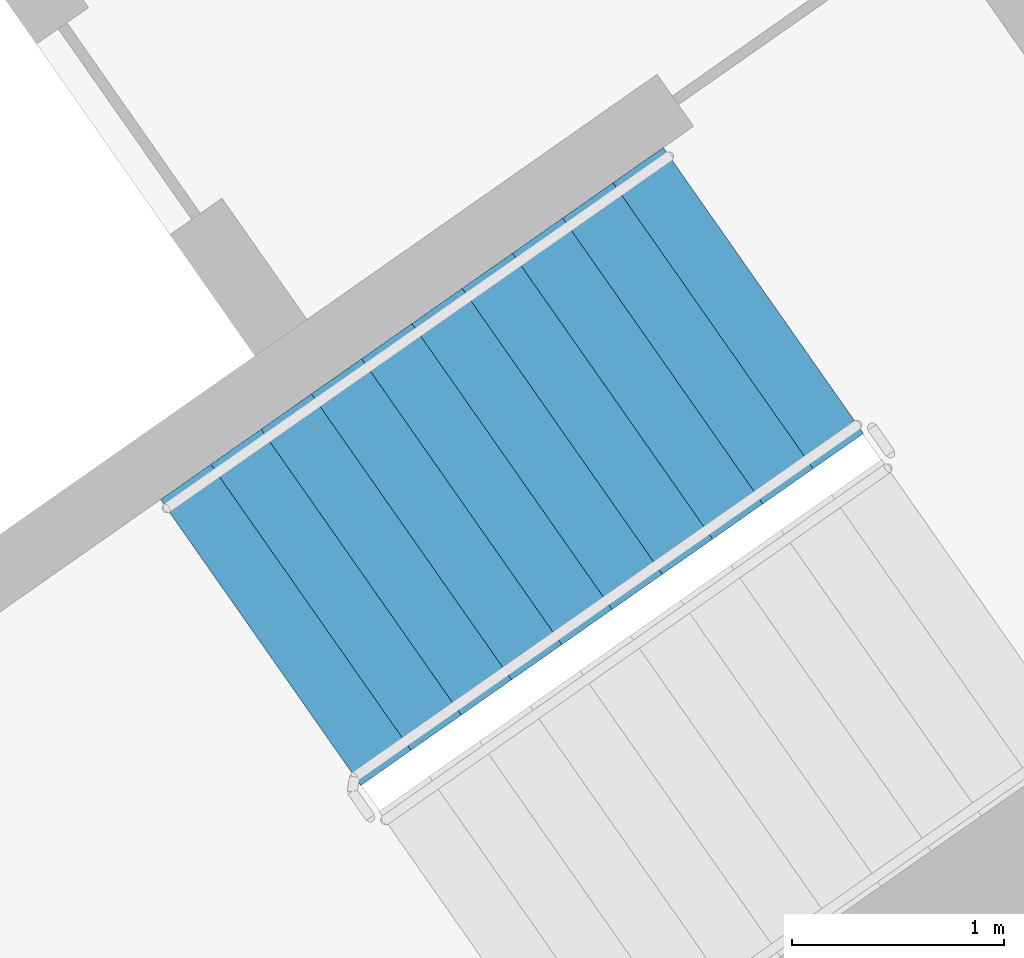
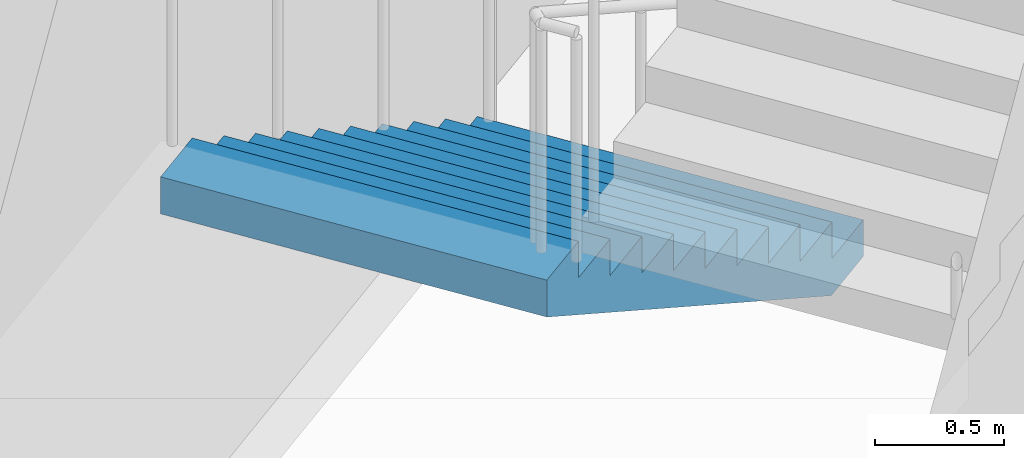
# One storey, part 14 of 28: 1 stair flight, 1 element without a shape of its own.
"""IFC4 building model written with IfcOpenShell, lengths in metres."""

from ifc_helpers import new_model, si_unit, direction, frame, origin, place, context, subcontext, project, spatial, faceted_brep, material, type_object, element, aggregate, save


model = new_model("IFC4")

# Units and contexts
model_context = context("Model", 3, precision=1e-05, world=origin(), true_north=direction((0.0, 1.0)))
body_context = subcontext(model_context, "Body", "Model", "MODEL_VIEW")
ifc_project = project(units=[si_unit("LENGTHUNIT", "METRE"), si_unit("AREAUNIT", "SQUARE_METRE"), si_unit("VOLUMEUNIT", "CUBIC_METRE"), si_unit("PLANEANGLEUNIT", "RADIAN"), si_unit("MASSUNIT", "GRAM", prefix="KILO")], contexts=[model_context])

# Site, building, storey
site_placement = place(None, origin())
site = spatial("IfcSite", under=ifc_project, at=site_placement, CompositionType="ELEMENT")
building_placement = place(site_placement, origin())
building = spatial("IfcBuilding", under=site, at=building_placement, Name="Qamariyya Broadcast Tower", CompositionType="ELEMENT")
storey_placement = place(building_placement, frame((0.0, 0.0, 265.699951171875)))
storey = spatial("IfcBuildingStorey", under=building, at=storey_placement, Name="L64", CompositionType="ELEMENT", Elevation=265.699951171875)

# Stair, stair flight
ifc_material = material(Name="Concrete C50/60", Category="concrete")
stair_type = type_object("IfcStairType", Name="Exit stair 22 risers of 173 mm", PredefinedType="HALF_TURN_STAIR", material=ifc_material)
stair_placement = place(storey_placement, origin())
stair = element("IfcStair", 1, at=stair_placement, inside=storey, type_object=stair_type, Name="L64 Stair E1", PredefinedType="HALF_TURN_STAIR")
stair_flight_type = type_object("IfcStairFlightType", Name="Exit stair flight 11 risers of 173 mm", PredefinedType="STRAIGHT", material=ifc_material)
stair_flight_placement = place(storey_placement, frame((46.036376953125, -55.508056640625, 0.0), z_axis=(0.0, 0.0, 1.0), x_axis=(-0.819152044289, -0.573576436351, 0.0)))
stair_flight = element("IfcStairFlight", 2, at=stair_flight_placement, type_object=stair_flight_type, Name="ST-E1 flight 1", NumberOfRisers=11, NumberOfTreads=10, PredefinedType="STRAIGHT", RiserHeight=0.172727273, TreadLength=0.29, context=body_context, shape_type="Brep", body=[
    faceted_brep([(0.0, 0.824951171875, 0.0), (0.0, 0.824951171875, 0.172607421875), (0.2900390625, 0.824951171875, 0.172607421875), (0.2900390625, 0.824951171875, 0.345458984375), (0.580078125, 0.824951171875, 0.345458984375), (0.580078125, 0.824951171875, 0.51806640625), (0.8701171875, 0.824951171875, 0.51806640625), (0.8701171875, 0.824951171875, 0.69091796875), (1.159912109375, 0.824951171875, 0.69091796875), (1.159912109375, 0.824951171875, 0.863525390625), (1.449951171875, 0.824951171875, 0.863525390625), (1.449951171875, 0.824951171875, 1.036376953125), (1.739990234375, 0.824951171875, 1.036376953125), (1.739990234375, 0.824951171875, 1.208984375), (2.030029296875, 0.824951171875, 1.208984375), (2.030029296875, 0.824951171875, 1.3818359375), (2.320068359375, 0.824951171875, 1.3818359375), (2.320068359375, 0.824951171875, 1.554443359375), (2.610107421875, 0.824951171875, 1.554443359375), (2.610107421875, 0.824951171875, 1.727294921875), (2.89990234375, 0.824951171875, 1.727294921875), (2.89990234375, 0.824951171875, 1.552734375), (0.29296875, 0.824951171875, 0.0), (0.29296875, -0.824951171875, 0.0), (2.89990234375, -0.824951171875, 1.552734375), (2.89990234375, -0.824951171875, 1.727294921875), (2.610107421875, -0.824951171875, 1.727294921875), (2.610107421875, -0.824951171875, 1.554443359375), (2.320068359375, -0.824951171875, 1.554443359375), (2.320068359375, -0.824951171875, 1.3818359375), (2.030029296875, -0.824951171875, 1.3818359375), (2.030029296875, -0.824951171875, 1.208984375), (1.739990234375, -0.824951171875, 1.208984375), (1.739990234375, -0.824951171875, 1.036376953125), (1.449951171875, -0.824951171875, 1.036376953125), (1.449951171875, -0.824951171875, 0.863525390625), (1.159912109375, -0.824951171875, 0.863525390625), (1.159912109375, -0.824951171875, 0.69091796875), (0.8701171875, -0.824951171875, 0.69091796875), (0.8701171875, -0.824951171875, 0.51806640625), (0.580078125, -0.824951171875, 0.51806640625), (0.580078125, -0.824951171875, 0.345458984375), (0.2900390625, -0.824951171875, 0.345458984375), (0.2900390625, -0.824951171875, 0.172607421875), (0.0, -0.824951171875, 0.172607421875), (0.0, -0.824951171875, 0.0), (0.0, 0.10009765625, 0.0), (0.0, 0.086669921875, 0.0), (0.0, 0.0732421875, 0.0), (0.0, 0.06005859375, 0.0), (0.0, 0.046630859375, 0.0), (0.0, 0.033447265625, 0.0), (0.0, 0.02001953125, 0.0), (0.0, 0.006591796875, 0.0), (0.0, -0.006591796875, 0.0), (0.0, -0.02001953125, 0.0), (0.0, -0.033447265625, 0.0), (0.0, -0.046630859375, 0.0), (0.0, -0.06005859375, 0.0), (0.0, -0.0732421875, 0.0), (0.0, -0.086669921875, 0.0), (0.0, -0.10009765625, 0.0), (0.0, -0.10009765625, 0.172607421875), (0.0, -0.086669921875, 0.172607421875), (0.0, -0.0732421875, 0.172607421875), (0.0, -0.06005859375, 0.172607421875), (0.0, -0.046630859375, 0.172607421875), (0.0, -0.033447265625, 0.172607421875), (0.0, -0.02001953125, 0.172607421875), (0.0, -0.006591796875, 0.172607421875), (0.0, 0.006591796875, 0.172607421875), (0.0, 0.02001953125, 0.172607421875), (0.0, 0.033447265625, 0.172607421875), (0.0, 0.046630859375, 0.172607421875), (0.0, 0.06005859375, 0.172607421875), (0.0, 0.0732421875, 0.172607421875), (0.0, 0.086669921875, 0.172607421875), (0.0, 0.10009765625, 0.172607421875), (0.2900390625, -0.10009765625, 0.172607421875), (0.2900390625, -0.086669921875, 0.172607421875), (0.2900390625, -0.0732421875, 0.172607421875), (0.2900390625, -0.06005859375, 0.172607421875), (0.2900390625, -0.046630859375, 0.172607421875), (0.2900390625, -0.033447265625, 0.172607421875), (0.2900390625, -0.02001953125, 0.172607421875), (0.2900390625, -0.006591796875, 0.172607421875), (0.2900390625, 0.006591796875, 0.172607421875), (0.2900390625, 0.02001953125, 0.172607421875), (0.2900390625, 0.033447265625, 0.172607421875), (0.2900390625, 0.046630859375, 0.172607421875), (0.2900390625, 0.06005859375, 0.172607421875), (0.2900390625, 0.0732421875, 0.172607421875), (0.2900390625, 0.086669921875, 0.172607421875), (0.2900390625, 0.10009765625, 0.172607421875), (0.2900390625, -0.10009765625, 0.345458984375), (0.2900390625, -0.086669921875, 0.345458984375), (0.2900390625, -0.0732421875, 0.345458984375), (0.2900390625, -0.06005859375, 0.345458984375), (0.2900390625, -0.046630859375, 0.345458984375), (0.2900390625, -0.033447265625, 0.345458984375), (0.2900390625, -0.02001953125, 0.345458984375), (0.2900390625, -0.006591796875, 0.345458984375), (0.2900390625, 0.006591796875, 0.345458984375), (0.2900390625, 0.02001953125, 0.345458984375), (0.2900390625, 0.033447265625, 0.345458984375), (0.2900390625, 0.046630859375, 0.345458984375), (0.2900390625, 0.06005859375, 0.345458984375), (0.2900390625, 0.0732421875, 0.345458984375), (0.2900390625, 0.086669921875, 0.345458984375), (0.2900390625, 0.10009765625, 0.345458984375), (0.580078125, -0.10009765625, 0.345458984375), (0.580078125, -0.086669921875, 0.345458984375), (0.580078125, -0.0732421875, 0.345458984375), (0.580078125, -0.06005859375, 0.345458984375), (0.580078125, -0.046630859375, 0.345458984375), (0.580078125, -0.033447265625, 0.345458984375), (0.580078125, -0.02001953125, 0.345458984375), (0.580078125, -0.006591796875, 0.345458984375), (0.580078125, 0.006591796875, 0.345458984375), (0.580078125, 0.02001953125, 0.345458984375), (0.580078125, 0.033447265625, 0.345458984375), (0.580078125, 0.046630859375, 0.345458984375), (0.580078125, 0.06005859375, 0.345458984375), (0.580078125, 0.0732421875, 0.345458984375), (0.580078125, 0.086669921875, 0.345458984375), (0.580078125, 0.10009765625, 0.345458984375), (0.580078125, -0.10009765625, 0.51806640625), (0.580078125, -0.086669921875, 0.51806640625), (0.580078125, -0.0732421875, 0.51806640625), (0.580078125, -0.06005859375, 0.51806640625), (0.580078125, -0.046630859375, 0.51806640625), (0.580078125, -0.033447265625, 0.51806640625), (0.580078125, -0.02001953125, 0.51806640625), (0.580078125, -0.006591796875, 0.51806640625), (0.580078125, 0.006591796875, 0.51806640625), (0.580078125, 0.02001953125, 0.51806640625), (0.580078125, 0.033447265625, 0.51806640625), (0.580078125, 0.046630859375, 0.51806640625), (0.580078125, 0.06005859375, 0.51806640625), (0.580078125, 0.0732421875, 0.51806640625), (0.580078125, 0.086669921875, 0.51806640625), (0.580078125, 0.10009765625, 0.51806640625), (0.8701171875, -0.10009765625, 0.51806640625), (0.8701171875, -0.086669921875, 0.51806640625), (0.8701171875, -0.0732421875, 0.51806640625), (0.8701171875, -0.06005859375, 0.51806640625), (0.8701171875, -0.046630859375, 0.51806640625), (0.8701171875, -0.033447265625, 0.51806640625), (0.8701171875, -0.02001953125, 0.51806640625), (0.8701171875, -0.006591796875, 0.51806640625), (0.8701171875, 0.006591796875, 0.51806640625), (0.8701171875, 0.02001953125, 0.51806640625), (0.8701171875, 0.033447265625, 0.51806640625), (0.8701171875, 0.046630859375, 0.51806640625), (0.8701171875, 0.06005859375, 0.51806640625), (0.8701171875, 0.0732421875, 0.51806640625), (0.8701171875, 0.086669921875, 0.51806640625), (0.8701171875, 0.10009765625, 0.51806640625), (0.8701171875, -0.10009765625, 0.69091796875), (0.8701171875, -0.086669921875, 0.69091796875), (0.8701171875, -0.0732421875, 0.69091796875), (0.8701171875, -0.06005859375, 0.69091796875), (0.8701171875, -0.046630859375, 0.69091796875), (0.8701171875, -0.033447265625, 0.69091796875), (0.8701171875, -0.02001953125, 0.69091796875), (0.8701171875, -0.006591796875, 0.69091796875), (0.8701171875, 0.006591796875, 0.69091796875), (0.8701171875, 0.02001953125, 0.69091796875), (0.8701171875, 0.033447265625, 0.69091796875), (0.8701171875, 0.046630859375, 0.69091796875), (0.8701171875, 0.06005859375, 0.69091796875), (0.8701171875, 0.0732421875, 0.69091796875), (0.8701171875, 0.086669921875, 0.69091796875), (0.8701171875, 0.10009765625, 0.69091796875), (1.159912109375, -0.10009765625, 0.69091796875), (1.159912109375, -0.086669921875, 0.69091796875), (1.159912109375, -0.0732421875, 0.69091796875), (1.159912109375, -0.06005859375, 0.69091796875), (1.159912109375, -0.046630859375, 0.69091796875), (1.159912109375, -0.033447265625, 0.69091796875), (1.159912109375, -0.02001953125, 0.69091796875), (1.159912109375, -0.006591796875, 0.69091796875), (1.159912109375, 0.006591796875, 0.69091796875), (1.159912109375, 0.02001953125, 0.69091796875), (1.159912109375, 0.033447265625, 0.69091796875), (1.159912109375, 0.046630859375, 0.69091796875), (1.159912109375, 0.06005859375, 0.69091796875), (1.159912109375, 0.0732421875, 0.69091796875), (1.159912109375, 0.086669921875, 0.69091796875), (1.159912109375, 0.10009765625, 0.69091796875), (1.159912109375, -0.10009765625, 0.863525390625), (1.159912109375, -0.086669921875, 0.863525390625), (1.159912109375, -0.0732421875, 0.863525390625), (1.159912109375, -0.06005859375, 0.863525390625), (1.159912109375, -0.046630859375, 0.863525390625), (1.159912109375, -0.033447265625, 0.863525390625), (1.159912109375, -0.02001953125, 0.863525390625), (1.159912109375, -0.006591796875, 0.863525390625), (1.159912109375, 0.006591796875, 0.863525390625), (1.159912109375, 0.02001953125, 0.863525390625), (1.159912109375, 0.033447265625, 0.863525390625), (1.159912109375, 0.046630859375, 0.863525390625), (1.159912109375, 0.06005859375, 0.863525390625), (1.159912109375, 0.0732421875, 0.863525390625), (1.159912109375, 0.086669921875, 0.863525390625), (1.159912109375, 0.10009765625, 0.863525390625), (1.449951171875, -0.10009765625, 0.863525390625), (1.449951171875, -0.086669921875, 0.863525390625), (1.449951171875, -0.0732421875, 0.863525390625), (1.449951171875, -0.06005859375, 0.863525390625), (1.449951171875, -0.046630859375, 0.863525390625), (1.449951171875, -0.033447265625, 0.863525390625), (1.449951171875, -0.02001953125, 0.863525390625), (1.449951171875, -0.006591796875, 0.863525390625), (1.449951171875, 0.006591796875, 0.863525390625), (1.449951171875, 0.02001953125, 0.863525390625), (1.449951171875, 0.033447265625, 0.863525390625), (1.449951171875, 0.046630859375, 0.863525390625), (1.449951171875, 0.06005859375, 0.863525390625), (1.449951171875, 0.0732421875, 0.863525390625), (1.449951171875, 0.086669921875, 0.863525390625), (1.449951171875, 0.10009765625, 0.863525390625), (1.449951171875, -0.10009765625, 1.036376953125), (1.449951171875, -0.086669921875, 1.036376953125), (1.449951171875, -0.0732421875, 1.036376953125), (1.449951171875, -0.06005859375, 1.036376953125), (1.449951171875, -0.046630859375, 1.036376953125), (1.449951171875, -0.033447265625, 1.036376953125), (1.449951171875, -0.02001953125, 1.036376953125), (1.449951171875, -0.006591796875, 1.036376953125), (1.449951171875, 0.006591796875, 1.036376953125), (1.449951171875, 0.02001953125, 1.036376953125), (1.449951171875, 0.033447265625, 1.036376953125), (1.449951171875, 0.046630859375, 1.036376953125), (1.449951171875, 0.06005859375, 1.036376953125), (1.449951171875, 0.0732421875, 1.036376953125), (1.449951171875, 0.086669921875, 1.036376953125), (1.449951171875, 0.10009765625, 1.036376953125), (1.739990234375, -0.10009765625, 1.036376953125), (1.739990234375, -0.086669921875, 1.036376953125), (1.739990234375, -0.0732421875, 1.036376953125), (1.739990234375, -0.06005859375, 1.036376953125), (1.739990234375, -0.046630859375, 1.036376953125), (1.739990234375, -0.033447265625, 1.036376953125), (1.739990234375, -0.02001953125, 1.036376953125), (1.739990234375, -0.006591796875, 1.036376953125), (1.739990234375, 0.006591796875, 1.036376953125), (1.739990234375, 0.02001953125, 1.036376953125), (1.739990234375, 0.033447265625, 1.036376953125), (1.739990234375, 0.046630859375, 1.036376953125), (1.739990234375, 0.06005859375, 1.036376953125), (1.739990234375, 0.0732421875, 1.036376953125), (1.739990234375, 0.086669921875, 1.036376953125), (1.739990234375, 0.10009765625, 1.036376953125), (1.739990234375, -0.10009765625, 1.208984375), (1.739990234375, -0.086669921875, 1.208984375), (1.739990234375, -0.0732421875, 1.208984375), (1.739990234375, -0.06005859375, 1.208984375), (1.739990234375, -0.046630859375, 1.208984375), (1.739990234375, -0.033447265625, 1.208984375), (1.739990234375, -0.02001953125, 1.208984375), (1.739990234375, -0.006591796875, 1.208984375), (1.739990234375, 0.006591796875, 1.208984375), (1.739990234375, 0.02001953125, 1.208984375), (1.739990234375, 0.033447265625, 1.208984375), (1.739990234375, 0.046630859375, 1.208984375), (1.739990234375, 0.06005859375, 1.208984375), (1.739990234375, 0.0732421875, 1.208984375), (1.739990234375, 0.086669921875, 1.208984375), (1.739990234375, 0.10009765625, 1.208984375), (2.030029296875, -0.10009765625, 1.208984375), (2.030029296875, -0.086669921875, 1.208984375), (2.030029296875, -0.0732421875, 1.208984375), (2.030029296875, -0.06005859375, 1.208984375), (2.030029296875, -0.046630859375, 1.208984375), (2.030029296875, -0.033447265625, 1.208984375), (2.030029296875, -0.02001953125, 1.208984375), (2.030029296875, -0.006591796875, 1.208984375), (2.030029296875, 0.006591796875, 1.208984375), (2.030029296875, 0.02001953125, 1.208984375), (2.030029296875, 0.033447265625, 1.208984375), (2.030029296875, 0.046630859375, 1.208984375), (2.030029296875, 0.06005859375, 1.208984375), (2.030029296875, 0.0732421875, 1.208984375), (2.030029296875, 0.086669921875, 1.208984375), (2.030029296875, 0.10009765625, 1.208984375), (2.030029296875, -0.10009765625, 1.3818359375), (2.030029296875, -0.086669921875, 1.3818359375), (2.030029296875, -0.0732421875, 1.3818359375), (2.030029296875, -0.06005859375, 1.3818359375), (2.030029296875, -0.046630859375, 1.3818359375), (2.030029296875, -0.033447265625, 1.3818359375), (2.030029296875, -0.02001953125, 1.3818359375), (2.030029296875, -0.006591796875, 1.3818359375), (2.030029296875, 0.006591796875, 1.3818359375), (2.030029296875, 0.02001953125, 1.3818359375), (2.030029296875, 0.033447265625, 1.3818359375), (2.030029296875, 0.046630859375, 1.3818359375), (2.030029296875, 0.06005859375, 1.3818359375), (2.030029296875, 0.0732421875, 1.3818359375), (2.030029296875, 0.086669921875, 1.3818359375), (2.030029296875, 0.10009765625, 1.3818359375), (2.320068359375, -0.10009765625, 1.3818359375), (2.320068359375, -0.086669921875, 1.3818359375), (2.320068359375, -0.0732421875, 1.3818359375), (2.320068359375, -0.06005859375, 1.3818359375), (2.320068359375, -0.046630859375, 1.3818359375), (2.320068359375, -0.033447265625, 1.3818359375), (2.320068359375, -0.02001953125, 1.3818359375), (2.320068359375, -0.006591796875, 1.3818359375), (2.320068359375, 0.006591796875, 1.3818359375), (2.320068359375, 0.02001953125, 1.3818359375), (2.320068359375, 0.033447265625, 1.3818359375), (2.320068359375, 0.046630859375, 1.3818359375), (2.320068359375, 0.06005859375, 1.3818359375), (2.320068359375, 0.0732421875, 1.3818359375), (2.320068359375, 0.086669921875, 1.3818359375), (2.320068359375, 0.10009765625, 1.3818359375), (2.320068359375, -0.10009765625, 1.554443359375), (2.320068359375, -0.086669921875, 1.554443359375), (2.320068359375, -0.0732421875, 1.554443359375), (2.320068359375, -0.06005859375, 1.554443359375), (2.320068359375, -0.046630859375, 1.554443359375), (2.320068359375, -0.033447265625, 1.554443359375), (2.320068359375, -0.02001953125, 1.554443359375), (2.320068359375, -0.006591796875, 1.554443359375), (2.320068359375, 0.006591796875, 1.554443359375), (2.320068359375, 0.02001953125, 1.554443359375), (2.320068359375, 0.033447265625, 1.554443359375), (2.320068359375, 0.046630859375, 1.554443359375), (2.320068359375, 0.06005859375, 1.554443359375), (2.320068359375, 0.0732421875, 1.554443359375), (2.320068359375, 0.086669921875, 1.554443359375), (2.320068359375, 0.10009765625, 1.554443359375), (2.610107421875, -0.10009765625, 1.554443359375), (2.610107421875, -0.086669921875, 1.554443359375), (2.610107421875, -0.0732421875, 1.554443359375), (2.610107421875, -0.06005859375, 1.554443359375), (2.610107421875, -0.046630859375, 1.554443359375), (2.610107421875, -0.033447265625, 1.554443359375), (2.610107421875, -0.02001953125, 1.554443359375), (2.610107421875, -0.006591796875, 1.554443359375), (2.610107421875, 0.006591796875, 1.554443359375), (2.610107421875, 0.02001953125, 1.554443359375), (2.610107421875, 0.033447265625, 1.554443359375), (2.610107421875, 0.046630859375, 1.554443359375), (2.610107421875, 0.06005859375, 1.554443359375), (2.610107421875, 0.0732421875, 1.554443359375), (2.610107421875, 0.086669921875, 1.554443359375), (2.610107421875, 0.10009765625, 1.554443359375), (2.610107421875, -0.10009765625, 1.727294921875), (2.610107421875, -0.086669921875, 1.727294921875), (2.610107421875, -0.0732421875, 1.727294921875), (2.610107421875, -0.06005859375, 1.727294921875), (2.610107421875, -0.046630859375, 1.727294921875), (2.610107421875, -0.033447265625, 1.727294921875), (2.610107421875, -0.02001953125, 1.727294921875), (2.610107421875, -0.006591796875, 1.727294921875), (2.610107421875, 0.006591796875, 1.727294921875), (2.610107421875, 0.02001953125, 1.727294921875), (2.610107421875, 0.033447265625, 1.727294921875), (2.610107421875, 0.046630859375, 1.727294921875), (2.610107421875, 0.06005859375, 1.727294921875), (2.610107421875, 0.0732421875, 1.727294921875), (2.610107421875, 0.086669921875, 1.727294921875), (2.610107421875, 0.10009765625, 1.727294921875), (2.89990234375, -0.10009765625, 1.727294921875), (2.89990234375, -0.086669921875, 1.727294921875), (2.89990234375, -0.0732421875, 1.727294921875), (2.89990234375, -0.06005859375, 1.727294921875), (2.89990234375, -0.046630859375, 1.727294921875), (2.89990234375, -0.033447265625, 1.727294921875), (2.89990234375, -0.02001953125, 1.727294921875), (2.89990234375, -0.006591796875, 1.727294921875), (2.89990234375, 0.006591796875, 1.727294921875), (2.89990234375, 0.02001953125, 1.727294921875), (2.89990234375, 0.033447265625, 1.727294921875), (2.89990234375, 0.046630859375, 1.727294921875), (2.89990234375, 0.06005859375, 1.727294921875), (2.89990234375, 0.0732421875, 1.727294921875), (2.89990234375, 0.086669921875, 1.727294921875), (2.89990234375, 0.10009765625, 1.727294921875), (2.89990234375, -0.10009765625, 1.552734375), (2.89990234375, -0.086669921875, 1.552734375), (2.89990234375, -0.0732421875, 1.552734375), (2.89990234375, -0.06005859375, 1.552734375), (2.89990234375, -0.046630859375, 1.552734375), (2.89990234375, -0.033447265625, 1.552734375), (2.89990234375, -0.02001953125, 1.552734375), (2.89990234375, -0.006591796875, 1.552734375), (2.89990234375, 0.006591796875, 1.552734375), (2.89990234375, 0.02001953125, 1.552734375), (2.89990234375, 0.033447265625, 1.552734375), (2.89990234375, 0.046630859375, 1.552734375), (2.89990234375, 0.06005859375, 1.552734375), (2.89990234375, 0.0732421875, 1.552734375), (2.89990234375, 0.086669921875, 1.552734375), (2.89990234375, 0.10009765625, 1.552734375), (0.29296875, -0.10009765625, 0.0), (0.29296875, -0.086669921875, 0.0), (0.29296875, -0.0732421875, 0.0), (0.29296875, -0.06005859375, 0.0), (0.29296875, -0.046630859375, 0.0), (0.29296875, -0.033447265625, 0.0), (0.29296875, -0.02001953125, 0.0), (0.29296875, -0.006591796875, 0.0), (0.29296875, 0.006591796875, 0.0), (0.29296875, 0.02001953125, 0.0), (0.29296875, 0.033447265625, 0.0), (0.29296875, 0.046630859375, 0.0), (0.29296875, 0.06005859375, 0.0), (0.29296875, 0.0732421875, 0.0), (0.29296875, 0.086669921875, 0.0), (0.29296875, 0.10009765625, 0.0)], [[[0, 1, 2, 3, 4, 5, 6, 7, 8, 9, 10, 11, 12, 13, 14, 15, 16, 17, 18, 19, 20, 21, 22]], [[23, 24, 25, 26, 27, 28, 29, 30, 31, 32, 33, 34, 35, 36, 37, 38, 39, 40, 41, 42, 43, 44, 45]], [[0, 46, 47, 48, 49, 50, 51, 52, 53, 54, 55, 56, 57, 58, 59, 60, 61, 45, 44, 62, 63, 64, 65, 66, 67, 68, 69, 70, 71, 72, 73, 74, 75, 76, 77, 1]], [[1, 77, 76, 75, 74, 73, 72, 71, 70, 69, 68, 67, 66, 65, 64, 63, 62, 44, 43, 78, 79, 80, 81, 82, 83, 84, 85, 86, 87, 88, 89, 90, 91, 92, 93, 2]], [[2, 93, 92, 91, 90, 89, 88, 87, 86, 85, 84, 83, 82, 81, 80, 79, 78, 43, 42, 94, 95, 96, 97, 98, 99, 100, 101, 102, 103, 104, 105, 106, 107, 108, 109, 3]], [[3, 109, 108, 107, 106, 105, 104, 103, 102, 101, 100, 99, 98, 97, 96, 95, 94, 42, 41, 110, 111, 112, 113, 114, 115, 116, 117, 118, 119, 120, 121, 122, 123, 124, 125, 4]], [[4, 125, 124, 123, 122, 121, 120, 119, 118, 117, 116, 115, 114, 113, 112, 111, 110, 41, 40, 126, 127, 128, 129, 130, 131, 132, 133, 134, 135, 136, 137, 138, 139, 140, 141, 5]], [[5, 141, 140, 139, 138, 137, 136, 135, 134, 133, 132, 131, 130, 129, 128, 127, 126, 40, 39, 142, 143, 144, 145, 146, 147, 148, 149, 150, 151, 152, 153, 154, 155, 156, 157, 6]], [[6, 157, 156, 155, 154, 153, 152, 151, 150, 149, 148, 147, 146, 145, 144, 143, 142, 39, 38, 158, 159, 160, 161, 162, 163, 164, 165, 166, 167, 168, 169, 170, 171, 172, 173, 7]], [[7, 173, 172, 171, 170, 169, 168, 167, 166, 165, 164, 163, 162, 161, 160, 159, 158, 38, 37, 174, 175, 176, 177, 178, 179, 180, 181, 182, 183, 184, 185, 186, 187, 188, 189, 8]], [[8, 189, 188, 187, 186, 185, 184, 183, 182, 181, 180, 179, 178, 177, 176, 175, 174, 37, 36, 190, 191, 192, 193, 194, 195, 196, 197, 198, 199, 200, 201, 202, 203, 204, 205, 9]], [[9, 205, 204, 203, 202, 201, 200, 199, 198, 197, 196, 195, 194, 193, 192, 191, 190, 36, 35, 206, 207, 208, 209, 210, 211, 212, 213, 214, 215, 216, 217, 218, 219, 220, 221, 10]], [[10, 221, 220, 219, 218, 217, 216, 215, 214, 213, 212, 211, 210, 209, 208, 207, 206, 35, 34, 222, 223, 224, 225, 226, 227, 228, 229, 230, 231, 232, 233, 234, 235, 236, 237, 11]], [[11, 237, 236, 235, 234, 233, 232, 231, 230, 229, 228, 227, 226, 225, 224, 223, 222, 34, 33, 238, 239, 240, 241, 242, 243, 244, 245, 246, 247, 248, 249, 250, 251, 252, 253, 12]], [[12, 253, 252, 251, 250, 249, 248, 247, 246, 245, 244, 243, 242, 241, 240, 239, 238, 33, 32, 254, 255, 256, 257, 258, 259, 260, 261, 262, 263, 264, 265, 266, 267, 268, 269, 13]], [[13, 269, 268, 267, 266, 265, 264, 263, 262, 261, 260, 259, 258, 257, 256, 255, 254, 32, 31, 270, 271, 272, 273, 274, 275, 276, 277, 278, 279, 280, 281, 282, 283, 284, 285, 14]], [[14, 285, 284, 283, 282, 281, 280, 279, 278, 277, 276, 275, 274, 273, 272, 271, 270, 31, 30, 286, 287, 288, 289, 290, 291, 292, 293, 294, 295, 296, 297, 298, 299, 300, 301, 15]], [[15, 301, 300, 299, 298, 297, 296, 295, 294, 293, 292, 291, 290, 289, 288, 287, 286, 30, 29, 302, 303, 304, 305, 306, 307, 308, 309, 310, 311, 312, 313, 314, 315, 316, 317, 16]], [[16, 317, 316, 315, 314, 313, 312, 311, 310, 309, 308, 307, 306, 305, 304, 303, 302, 29, 28, 318, 319, 320, 321, 322, 323, 324, 325, 326, 327, 328, 329, 330, 331, 332, 333, 17]], [[17, 333, 332, 331, 330, 329, 328, 327, 326, 325, 324, 323, 322, 321, 320, 319, 318, 28, 27, 334, 335, 336, 337, 338, 339, 340, 341, 342, 343, 344, 345, 346, 347, 348, 349, 18]], [[18, 349, 348, 347, 346, 345, 344, 343, 342, 341, 340, 339, 338, 337, 336, 335, 334, 27, 26, 350, 351, 352, 353, 354, 355, 356, 357, 358, 359, 360, 361, 362, 363, 364, 365, 19]], [[19, 365, 364, 363, 362, 361, 360, 359, 358, 357, 356, 355, 354, 353, 352, 351, 350, 26, 25, 366, 367, 368, 369, 370, 371, 372, 373, 374, 375, 376, 377, 378, 379, 380, 381, 20]], [[20, 381, 380, 379, 378, 377, 376, 375, 374, 373, 372, 371, 370, 369, 368, 367, 366, 25, 24, 382, 383, 384, 385, 386, 387, 388, 389, 390, 391, 392, 393, 394, 395, 396, 397, 21]], [[21, 397, 396, 395, 394, 393, 392, 391, 390, 389, 388, 387, 386, 385, 384, 383, 382, 24, 23, 398, 399, 400, 401, 402, 403, 404, 405, 406, 407, 408, 409, 410, 411, 412, 413, 22]], [[22, 413, 412, 411, 410, 409, 408, 407, 406, 405, 404, 403, 402, 401, 400, 399, 398, 23, 45, 61, 60, 59, 58, 57, 56, 55, 54, 53, 52, 51, 50, 49, 48, 47, 46, 0]]]),
])
aggregate(stair, [stair_flight])

save(model, "model.ifc")
